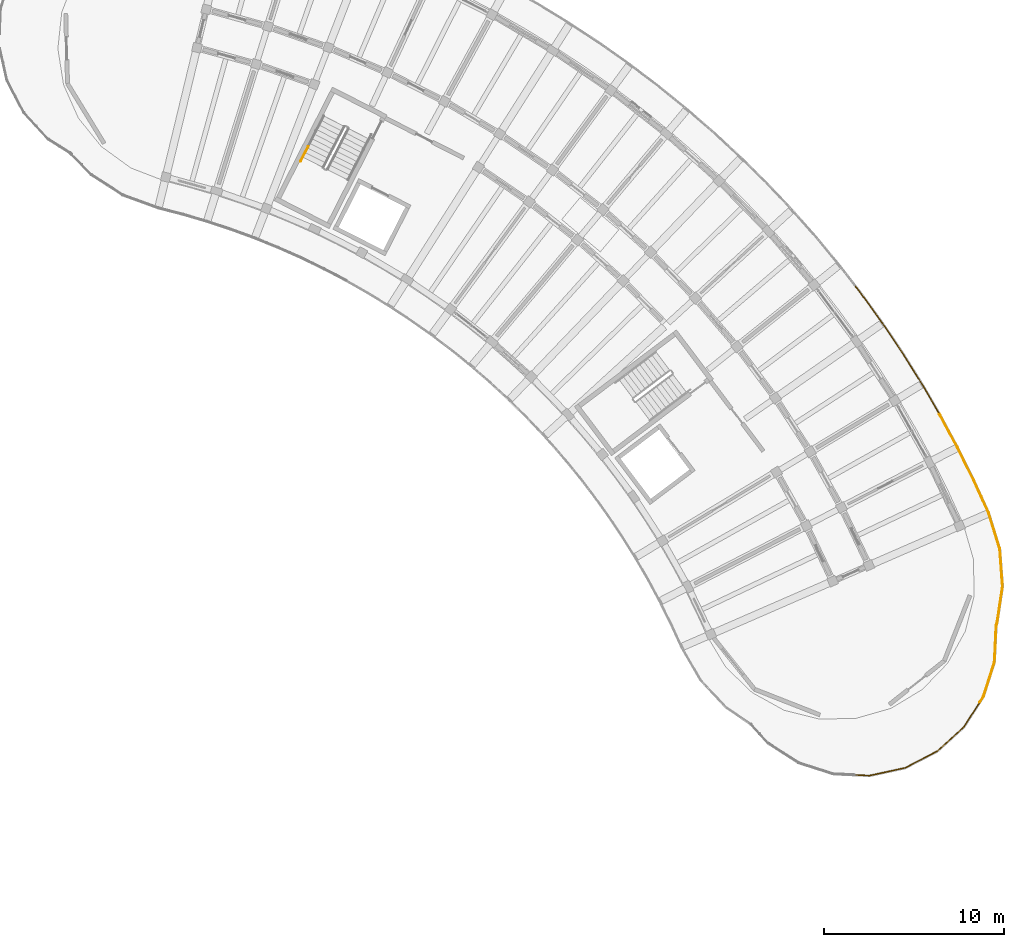
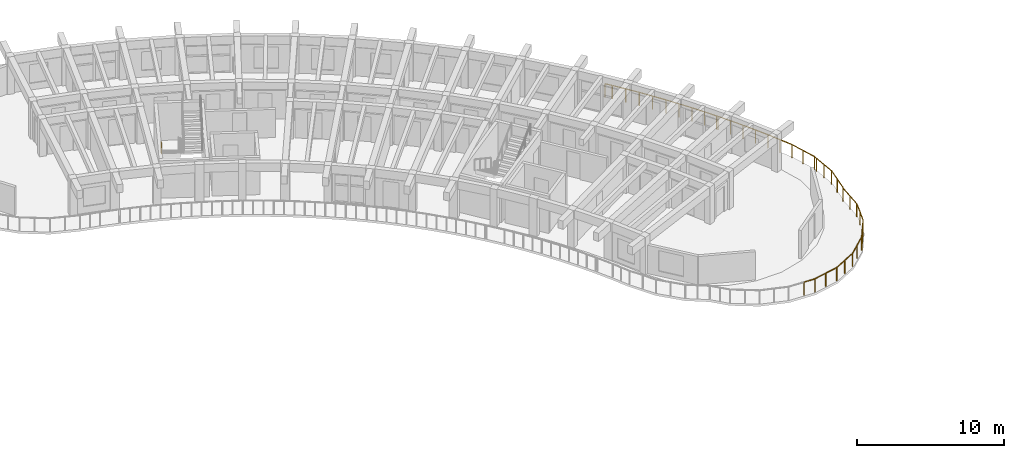
# One storey, part 60 of 62: 5 railings.
"""IFC4 building model written with IfcOpenShell, lengths in metres."""

from ifc_helpers import new_model, si_unit, direction, frame, origin, origin_2d, place, context, subcontext, project, spatial, circle, extrude, material, type_object, element, save


model = new_model("IFC4")

# Units and contexts
model_context = context("Model", 3, precision=1e-05, world=origin(), true_north=direction((0.0, 1.0)))
body_context = subcontext(model_context, "Body", "Model", "MODEL_VIEW")
ifc_project = project(units=[si_unit("LENGTHUNIT", "METRE"), si_unit("AREAUNIT", "SQUARE_METRE"), si_unit("VOLUMEUNIT", "CUBIC_METRE"), si_unit("PLANEANGLEUNIT", "RADIAN"), si_unit("MASSUNIT", "GRAM", prefix="KILO")], contexts=[model_context])

# Site, building, storey
site_placement = place(None, origin())
site = spatial("IfcSite", under=ifc_project, at=site_placement, CompositionType="ELEMENT")
building_placement = place(site_placement, origin())
building = spatial("IfcBuilding", under=site, at=building_placement, Name="Tanwirah Colonnade Gardens", CompositionType="ELEMENT")
storey_placement = place(building_placement, frame((0.0, 0.0, 32.360107421875)))
storey = spatial("IfcBuildingStorey", under=building, at=storey_placement, Name="L09", CompositionType="ELEMENT", Elevation=32.360107421875)

# Railings
ifc_material_1 = material(Name="Precast concrete C40/50", Category="concrete")
railing_type_1 = type_object("IfcRailingType", Name="BAL-EXT112", PredefinedType="BALUSTRADE", material=ifc_material_1)
railing_1_placement = place(storey_placement, frame((169.793212890625, 97.329345703125, 0.0)))
element("IfcRailing", 1, at=railing_1_placement, inside=storey, type_object=railing_type_1, Name="Block B L09 Balcony Ribbon Balustrade 15", PredefinedType="BALUSTRADE", context=body_context, shape_type="SweptSolid", body=[
    extrude(circle(Radius=0.02392578125, at=origin_2d()), frame((0.01904296875, -0.024658203125, 1.09619140625), z_axis=(0.611592763067, -0.791172732192, 0.0), x_axis=(0.791172732192, 0.611592763067, 0.0)), (0.0, 0.0, 1.0), 0.463623046875),
    extrude(circle(Radius=0.02392578125, at=origin_2d()), frame((0.340087890625, -0.441650390625, 1.09619140625), z_axis=(0.585468507287, -0.810695150457, 0.0), x_axis=(0.810695150457, 0.585468507287, 0.0)), (0.0, 0.0, 1.0), 1.958984375),
    extrude(circle(Radius=0.02392578125, at=origin_2d()), frame((1.522705078125, -2.0810546875, 1.09619140625), z_axis=(0.558345997542, -0.829608188863, 0.0), x_axis=(0.829608188863, 0.558345997542, 0.0)), (0.0, 0.0, 1.0), 1.958984375),
    extrude(circle(Radius=0.02392578125, at=origin_2d()), frame((2.650634765625, -3.7587890625, 1.09619140625), z_axis=(0.530812919598, -0.847489023167, 0.0), x_axis=(0.847489023167, 0.530812919598, 0.0)), (0.0, 0.0, 1.0), 1.958984375),
    extrude(circle(Radius=0.02392578125, at=origin_2d()), frame((3.72265625, -5.472412109375, 1.09619140625), z_axis=(0.502487113871, -0.864584698218, 0.0), x_axis=(0.864584698218, 0.502487113871, 0.0)), (0.0, 0.0, 1.0), 1.846923828125),
    extrude(circle(Radius=0.02099609375, at=origin_2d()), origin(), (0.0, 0.0, 1.0), 1.069091796875),
    extrude(circle(Radius=0.02099609375, at=origin_2d()), frame((0.32177734375, -0.416259765625, 0.0)), (0.0, 0.0, 1.0), 1.069091796875),
    extrude(circle(Radius=0.02099609375, at=origin_2d()), frame((0.91357421875, -1.23583984375, 0.0)), (0.0, 0.0, 1.0), 1.069091796875),
    extrude(circle(Radius=0.02099609375, at=origin_2d()), frame((1.50537109375, -2.05517578125, 0.0)), (0.0, 0.0, 1.0), 1.069091796875),
    extrude(circle(Radius=0.02099609375, at=origin_2d()), frame((2.06982421875, -2.8935546875, 0.0)), (0.0, 0.0, 1.0), 1.069091796875),
    extrude(circle(Radius=0.02099609375, at=origin_2d()), frame((2.634033203125, -3.732177734375, 0.0)), (0.0, 0.0, 1.0), 1.069091796875),
    extrude(circle(Radius=0.02099609375, at=origin_2d()), frame((3.17041015625, -4.5888671875, 0.0)), (0.0, 0.0, 1.0), 1.069091796875),
    extrude(circle(Radius=0.02099609375, at=origin_2d()), frame((3.70703125, -5.4453125, 0.0)), (0.0, 0.0, 1.0), 1.069091796875),
    extrude(circle(Radius=0.02099609375, at=origin_2d()), frame((4.186767578125, -6.270751953125, 0.0)), (0.0, 0.0, 1.0), 1.069091796875),
    extrude(circle(Radius=0.02099609375, at=origin_2d()), frame((4.66650390625, -7.09619140625, 0.0)), (0.0, 0.0, 1.0), 1.069091796875),
])
railing_2_placement = place(storey_placement, frame((174.459716796875, 90.233154296875, 0.0)))
element("IfcRailing", 2, at=railing_2_placement, inside=storey, type_object=railing_type_1, Name="Block B L09 Balcony Ribbon Balustrade 16", PredefinedType="BALUSTRADE", context=body_context, shape_type="SweptSolid", body=[
    extrude(circle(Radius=0.02392578125, at=origin_2d()), frame((0.015625, -0.027099609375, 1.09619140625), z_axis=(0.501293994647, -0.865277025542, 0.0), x_axis=(0.865277025542, 0.501293994647, 0.0)), (0.0, 0.0, 1.0), 0.049560546875),
    extrude(circle(Radius=0.02392578125, at=origin_2d()), frame((0.071044921875, -0.12451171875, 1.09619140625), z_axis=(0.473826102441, -0.88061843306, 0.0), x_axis=(0.88061843306, 0.473826102441, 0.0)), (0.0, 0.0, 1.0), 1.958740234375),
    extrude(circle(Radius=0.02392578125, at=origin_2d()), frame((1.02783203125, -1.905029296875, 1.09619140625), z_axis=(0.444409688214, -0.895823659557, 0.0), x_axis=(0.895823659557, 0.444409688214, 0.0)), (0.0, 0.0, 1.0), 1.959228515625),
    extrude(circle(Radius=0.02392578125, at=origin_2d()), frame((1.92529296875, -3.716552734375, 1.09619140625), z_axis=(0.414687086418, -0.909964076411, 0.0), x_axis=(0.909964076411, 0.414687086418, 0.0)), (0.0, 0.0, 1.0), 1.955078125),
    extrude(circle(Radius=0.02392578125, at=origin_2d()), frame((2.75830078125, -5.5537109375, 1.09619140625), z_axis=(0.294496097722, -0.955652681902, 0.0), x_axis=(0.955652681902, 0.294496097722, 0.0)), (0.0, 0.0, 1.0), 2.0283203125),
    extrude(circle(Radius=0.02392578125, at=origin_2d()), frame((3.3671875, -7.55322265625, 1.09619140625), z_axis=(0.074327988764, -0.997233849248, 0.0), x_axis=(0.997233849248, 0.074327988764, 0.0)), (0.0, 0.0, 1.0), 0.174072265625),
    extrude(circle(Radius=0.02099609375, at=origin_2d()), origin(), (0.0, 0.0, 1.0), 1.069091796875),
    extrude(circle(Radius=0.02099609375, at=origin_2d()), frame((0.05615234375, -0.096923828125, 0.0)), (0.0, 0.0, 1.0), 1.069091796875),
    extrude(circle(Radius=0.02099609375, at=origin_2d()), frame((0.53515625, -0.98681640625, 0.0)), (0.0, 0.0, 1.0), 1.069091796875),
    extrude(circle(Radius=0.02099609375, at=origin_2d()), frame((1.013916015625, -1.876953125, 0.0)), (0.0, 0.0, 1.0), 1.069091796875),
    extrude(circle(Radius=0.02099609375, at=origin_2d()), frame((1.463134765625, -2.782470703125, 0.0)), (0.0, 0.0, 1.0), 1.069091796875),
    extrude(circle(Radius=0.02099609375, at=origin_2d()), frame((1.912353515625, -3.68798828125, 0.0)), (0.0, 0.0, 1.0), 1.069091796875),
    extrude(circle(Radius=0.02099609375, at=origin_2d()), frame((2.33056640625, -4.60595703125, 0.0)), (0.0, 0.0, 1.0), 1.069091796875),
    extrude(circle(Radius=0.02099609375, at=origin_2d()), frame((2.7490234375, -5.52392578125, 0.0)), (0.0, 0.0, 1.0), 1.069091796875),
    extrude(circle(Radius=0.02099609375, at=origin_2d()), frame((3.056884765625, -6.52294921875, 0.0)), (0.0, 0.0, 1.0), 1.069091796875),
    extrude(circle(Radius=0.02099609375, at=origin_2d()), frame((3.36474609375, -7.52197265625, 0.0)), (0.0, 0.0, 1.0), 1.069091796875),
    extrude(circle(Radius=0.02099609375, at=origin_2d()), frame((3.38232421875, -7.7578125, 0.0)), (0.0, 0.0, 1.0), 1.069091796875),
])
railing_3_placement = place(storey_placement, frame((177.842041015625, 82.475341796875, 0.0)))
element("IfcRailing", 3, at=railing_3_placement, inside=storey, type_object=railing_type_1, Name="Block B L09 Balcony Ribbon Balustrade 17", PredefinedType="BALUSTRADE", context=body_context, shape_type="SweptSolid", body=[
    extrude(circle(Radius=0.02392578125, at=origin_2d()), frame((0.00244140625, -0.03125, 1.09619140625), z_axis=(0.074547218704, -0.997217484897, 0.0), x_axis=(0.997217484897, 0.074547218704, 0.0)), (0.0, 0.0, 1.0), 1.787841796875),
    extrude(circle(Radius=0.02392578125, at=origin_2d()), frame((0.13330078125, -1.876220703125, 1.09619140625), z_axis=(-0.149392969894, -0.988777902537, 0.0), x_axis=(0.988777902537, -0.149392969894, 0.0)), (0.0, 0.0, 1.0), 2.0244140625),
    extrude(circle(Radius=0.02392578125, at=origin_2d()), frame((-0.185302734375, -3.937744140625, 1.09619140625), z_axis=(-0.366022423606, -0.93060603126, 0.0), x_axis=(0.93060603126, -0.366022423606, 0.0)), (0.0, 0.0, 1.0), 0.03955078125),
    extrude(circle(Radius=0.02392578125, at=origin_2d()), frame((-0.218017578125, -4.060546875, 1.09619140625), z_axis=(-0.047553680693, -0.998868683788, 0.0), x_axis=(0.998868683788, -0.047553680693, 0.0)), (0.0, 0.0, 1.0), 1.960205078125),
    extrude(circle(Radius=0.02392578125, at=origin_2d()), frame((-0.322265625, -6.07958984375, 1.09619140625), z_axis=(-0.3043185376, -0.952570326891, 0.0), x_axis=(0.952570326891, -0.3043185376, 0.0)), (0.0, 0.0, 1.0), 1.95263671875),
    extrude(circle(Radius=0.02392578125, at=origin_2d()), frame((-0.94287109375, -7.995849609375, 1.09619140625), z_axis=(-0.54069534026, -0.841218490656, 0.0), x_axis=(0.841218490656, -0.54069534026, 0.0)), (0.0, 0.0, 1.0), 0.333984375),
    extrude(circle(Radius=0.02099609375, at=origin_2d()), origin(), (0.0, 0.0, 1.0), 1.069091796875),
    extrude(circle(Radius=0.02099609375, at=origin_2d()), frame((0.06884765625, -0.922607421875, 0.0)), (0.0, 0.0, 1.0), 1.069091796875),
    extrude(circle(Radius=0.02099609375, at=origin_2d()), frame((0.137939453125, -1.84521484375, 0.0)), (0.0, 0.0, 1.0), 1.069091796875),
    extrude(circle(Radius=0.02099609375, at=origin_2d()), frame((-0.01806640625, -2.876953125, 0.0)), (0.0, 0.0, 1.0), 1.069091796875),
    extrude(circle(Radius=0.02099609375, at=origin_2d()), frame((-0.173828125, -3.90869140625, 0.0)), (0.0, 0.0, 1.0), 1.069091796875),
    extrude(circle(Radius=0.02099609375, at=origin_2d()), frame((-0.211181640625, -4.003662109375, 0.0)), (0.0, 0.0, 1.0), 1.069091796875),
    extrude(circle(Radius=0.02099609375, at=origin_2d()), frame((-0.2646484375, -5.03955078125, 0.0)), (0.0, 0.0, 1.0), 1.069091796875),
    extrude(circle(Radius=0.02099609375, at=origin_2d()), frame((-0.312744140625, -6.0498046875, 0.0)), (0.0, 0.0, 1.0), 1.069091796875),
    extrude(circle(Radius=0.02099609375, at=origin_2d()), frame((-0.619384765625, -7.009765625, 0.0)), (0.0, 0.0, 1.0), 1.069091796875),
    extrude(circle(Radius=0.02099609375, at=origin_2d()), frame((-0.926025390625, -7.969482421875, 0.0)), (0.0, 0.0, 1.0), 1.069091796875),
    extrude(circle(Radius=0.02099609375, at=origin_2d()), frame((-1.140380859375, -8.302978515625, 0.0)), (0.0, 0.0, 1.0), 1.069091796875),
])
railing_4_placement = place(storey_placement, frame((176.70166015625, 74.17236328125, 0.0)))
element("IfcRailing", 4, at=railing_4_placement, inside=storey, type_object=railing_type_1, Name="Block B L09 Balcony Ribbon Balustrade 18", PredefinedType="BALUSTRADE", context=body_context, shape_type="SweptSolid", body=[
    extrude(circle(Radius=0.02392578125, at=origin_2d()), frame((-0.016845703125, -0.0263671875, 1.09619140625), z_axis=(-0.540559379329, -0.841305864368, 0.0), x_axis=(0.841305864368, -0.540559379329, 0.0)), (0.0, 0.0, 1.0), 1.55615234375),
    extrude(circle(Radius=0.02392578125, at=origin_2d()), frame((-0.898193359375, -1.3828125, 1.09619140625), z_axis=(-0.739929108518, -0.672684855165, 0.0), x_axis=(0.672684855165, -0.739929108518, 0.0)), (0.0, 0.0, 1.0), 1.952392578125),
    extrude(circle(Radius=0.02392578125, at=origin_2d()), frame((-2.393798828125, -2.731689453125, 1.09619140625), z_axis=(-0.888784660637, -0.458325023336, 0.0), x_axis=(0.458325023336, -0.888784660637, 0.0)), (0.0, 0.0, 1.0), 1.95263671875),
    extrude(circle(Radius=0.02392578125, at=origin_2d()), frame((-4.1875, -3.6474609375, 1.09619140625), z_axis=(-0.977132604158, -0.212630839466, 0.0), x_axis=(0.212630839466, -0.977132604158, 0.0)), (0.0, 0.0, 1.0), 1.95263671875),
    extrude(circle(Radius=0.02392578125, at=origin_2d()), frame((-6.1572265625, -4.06787109375, 1.09619140625), z_axis=(-0.998880654339, 0.047301568548, 0.0), x_axis=(-0.047301568548, -0.998880654339, 0.0)), (0.0, 0.0, 1.0), 0.773681640625),
    extrude(circle(Radius=0.02099609375, at=origin_2d()), origin(), (0.0, 0.0, 1.0), 1.069091796875),
    extrude(circle(Radius=0.02099609375, at=origin_2d()), frame((-0.4375, -0.680908203125, 0.0)), (0.0, 0.0, 1.0), 1.069091796875),
    extrude(circle(Radius=0.02099609375, at=origin_2d()), frame((-0.875, -1.36181640625, 0.0)), (0.0, 0.0, 1.0), 1.069091796875),
    extrude(circle(Radius=0.02099609375, at=origin_2d()), frame((-1.62060546875, -2.03955078125, 0.0)), (0.0, 0.0, 1.0), 1.069091796875),
    extrude(circle(Radius=0.02099609375, at=origin_2d()), frame((-2.365966796875, -2.71728515625, 0.0)), (0.0, 0.0, 1.0), 1.069091796875),
    extrude(circle(Radius=0.02099609375, at=origin_2d()), frame((-3.261474609375, -3.17919921875, 0.0)), (0.0, 0.0, 1.0), 1.069091796875),
    extrude(circle(Radius=0.02099609375, at=origin_2d()), frame((-4.156982421875, -3.640869140625, 0.0)), (0.0, 0.0, 1.0), 1.069091796875),
    extrude(circle(Radius=0.02099609375, at=origin_2d()), frame((-5.1416015625, -3.85498046875, 0.0)), (0.0, 0.0, 1.0), 1.069091796875),
    extrude(circle(Radius=0.02099609375, at=origin_2d()), frame((-6.1259765625, -4.0693359375, 0.0)), (0.0, 0.0, 1.0), 1.069091796875),
    extrude(circle(Radius=0.02099609375, at=origin_2d()), frame((-6.961181640625, -4.02978515625, 0.0)), (0.0, 0.0, 1.0), 1.069091796875),
])
ifc_material_2 = material(Name="Brushed bronze stainless steel", Category="steel")
railing_type_2 = type_object("IfcRailingType", Name="HR-ST090", PredefinedType="HANDRAIL", material=ifc_material_2)
railing_5_placement = place(storey_placement, frame((139.341796875, 105.118896484375, 1.2998046875)))
element("IfcRailing", 5, at=railing_5_placement, inside=storey, type_object=railing_type_2, Name="L09 ST-B2 stair handrail 3", PredefinedType="HANDRAIL", context=body_context, shape_type="SweptSolid", body=[
    extrude(circle(Radius=0.02392578125, at=origin_2d()), frame((-0.01220703125, -0.02392578125, 0.891845703125), z_axis=(-0.389886268615, -0.765422249879, 0.511974097915), x_axis=(0.891061070925, -0.453883429839, 0.0)), (0.0, 0.0, 1.0), 1.043212890625),
    extrude(circle(Radius=0.02099609375, at=origin_2d()), origin(), (0.0, 0.0, 1.0), 0.848876953125),
    extrude(circle(Radius=0.02099609375, at=origin_2d()), frame((-0.43115234375, -0.846435546875, 0.566162109375)), (0.0, 0.0, 1.0), 0.848876953125),
])

save(model, "model.ifc")
